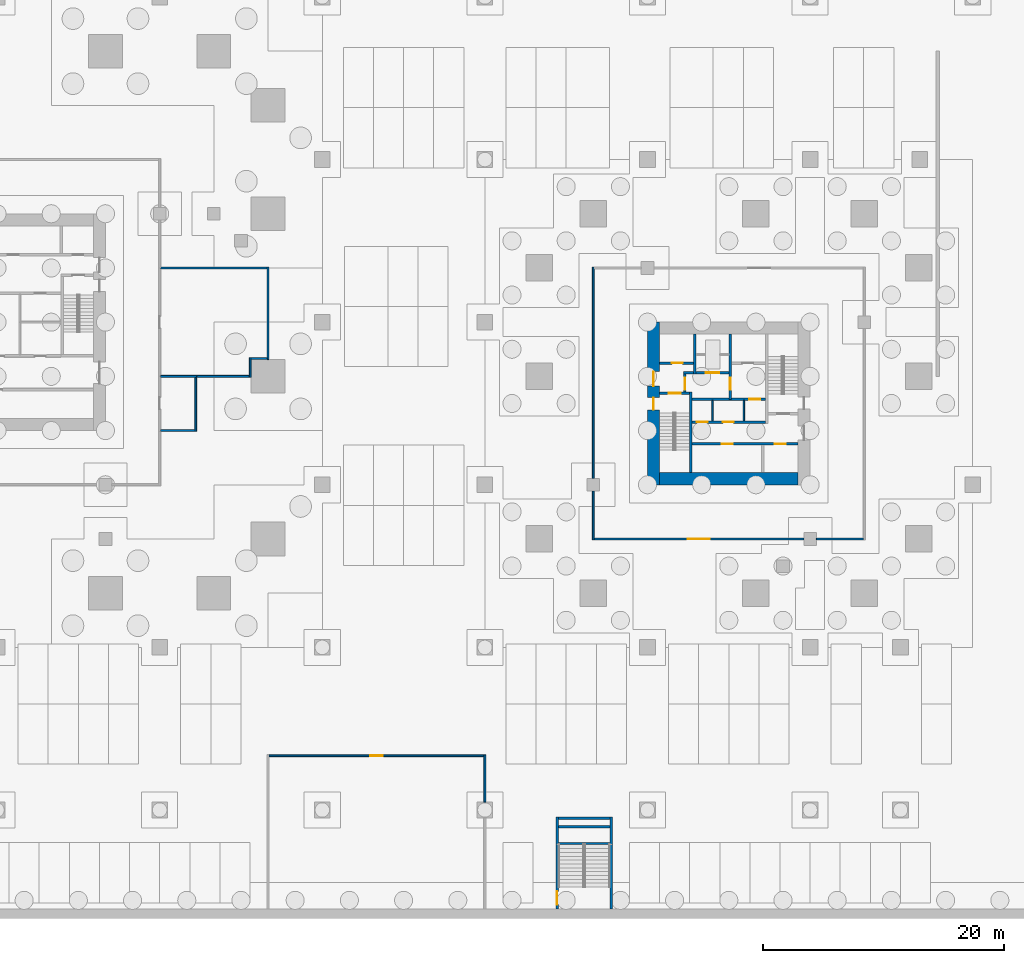
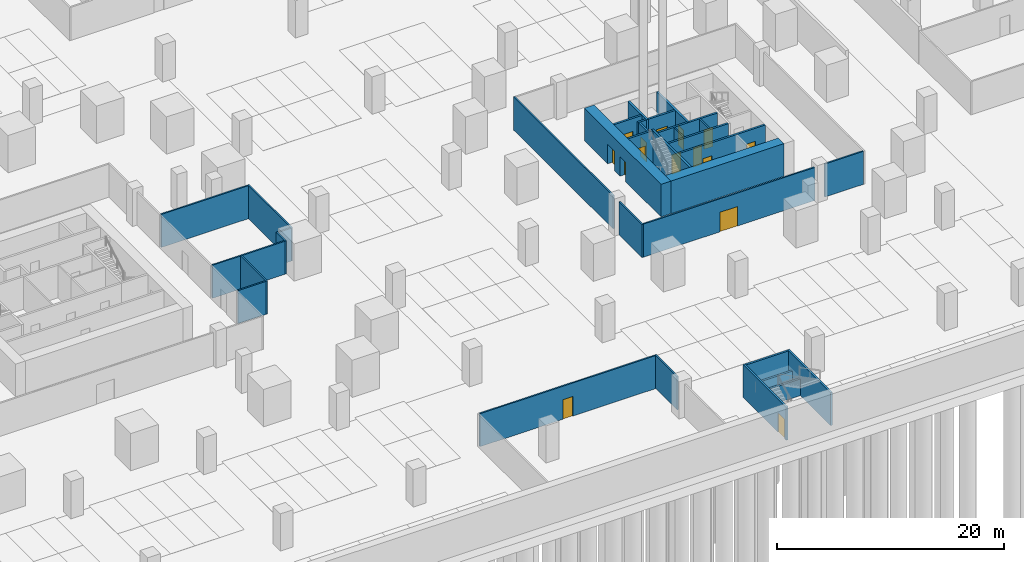
# One storey, part 9 of 40: 34 walls, 15 doors, 15 openings.
"""IFC4 building model written with IfcOpenShell, lengths in metres."""

from ifc_helpers import new_model, si_unit, direction, frame, frame_2d, origin, place, context, subcontext, project, spatial, rectangle, extrude, material, layer, layer_set, type_object, element, fill, save


model = new_model("IFC4")

# Units and contexts
model_context = context("Model", 3, precision=1e-05, world=origin(), true_north=direction((0.0, 1.0)))
body_context = subcontext(model_context, "Body", "Model", "MODEL_VIEW")
ifc_project = project(units=[si_unit("LENGTHUNIT", "METRE"), si_unit("AREAUNIT", "SQUARE_METRE"), si_unit("VOLUMEUNIT", "CUBIC_METRE"), si_unit("PLANEANGLEUNIT", "RADIAN"), si_unit("MASSUNIT", "GRAM", prefix="KILO")], contexts=[model_context])

# Site, building, storey
site_placement = place(None, origin())
site = spatial("IfcSite", under=ifc_project, at=site_placement, CompositionType="ELEMENT")
building_placement = place(site_placement, origin())
building = spatial("IfcBuilding", under=site, at=building_placement, Name="Altepetl Exchange Towers", CompositionType="ELEMENT")
storey_placement = place(building_placement, frame((0.0, 0.0, -8.0)))
storey = spatial("IfcBuildingStorey", under=building, at=storey_placement, Name="B2 Basement parking", CompositionType="ELEMENT", Elevation=-8.0)

# Wall
ifc_material_1 = material(Name="Concrete C70/85", Category="concrete")
ifc_layer_1 = layer(ifc_material_1, 1.0)
ifc_layer_set_1 = layer_set([ifc_layer_1], Name="Concrete C70/85")
wall_type_1 = type_object("IfcWallType", Name="Core wall 1000 reinforced concrete", PredefinedType="SHEAR", material=ifc_layer_set_1)
wall_1_placement = place(storey_placement, frame((104.5, 36.5, 0.0)))
element("IfcWall", 1, at=wall_1_placement, inside=storey, type_object=wall_type_1, Name="wall:B:B2:K-coreS", PredefinedType="SHEAR", context=body_context, shape_type="SweptSolid", body=[
    extrude(rectangle(XDim=11.5, YDim=1.0, at=frame_2d((5.75, 0.0))), origin(), (0.0, 0.0, 1.0), 3.5),
])

# Wall, openings, doors
wall_2_placement = place(storey_placement, frame((104.0, 36.0, 0.0), z_axis=(0.0, 0.0, 1.0), x_axis=(0.0, 1.0, 0.0)))
wall_2 = element("IfcWall", 2, at=wall_2_placement, inside=storey, type_object=wall_type_1, Name="wall:B:B2:K-coreW", PredefinedType="SHEAR", context=body_context, shape_type="SweptSolid", body=[
    extrude(rectangle(XDim=13.5, YDim=1.0, at=frame_2d((6.75, 0.0))), origin(), (0.0, 0.0, 1.0), 3.5),
])
opening_1_placement = place(wall_2_placement, frame((8.199951171875, 0.0, 0.0)))
opening_1 = element("IfcOpeningElement", 3, at=opening_1_placement, cuts=wall_2, Name="Opening B2.B60", PredefinedType="OPENING", context=body_context, shape_type="SweptSolid", body=[
    extrude(rectangle(XDim=1.199951171875, YDim=2.10009765625, at=frame_2d((0.60009765625, 1.050048828125))), frame((0.0, 0.510009765625, 0.0), z_axis=(0.0, -1.0, 0.0), x_axis=(1.0, 0.0, 0.0)), (0.0, 0.0, 1.0), 1.02001953125),
])
opening_2_placement = place(wall_2_placement, frame((6.22509765625, 0.0, 0.0)))
opening_2 = element("IfcOpeningElement", 4, at=opening_2_placement, cuts=wall_2, Name="Opening B2.B63", PredefinedType="OPENING", context=body_context, shape_type="SweptSolid", body=[
    extrude(rectangle(XDim=1.0, YDim=2.10009765625, at=frame_2d((0.5, 1.050048828125))), frame((0.0, 0.510009765625, 0.0), z_axis=(0.0, -1.0, 0.0), x_axis=(1.0, 0.0, 0.0)), (0.0, 0.0, 1.0), 1.02001953125),
])
ifc_material_2 = material(Name="Steel and timber fire door", Category="steel")
door_type_1 = type_object("IfcDoorType", Name="Fire door 1000 x 2100 stair and lobby", OperationType="SINGLE_SWING_LEFT", PredefinedType="DOOR", material=ifc_material_2)
door_1_placement = place(opening_2_placement, frame((1.0, 0.0, 0.0), x_axis=(-1.0, 0.0, 0.0)))
door_1 = element("IfcDoor", 5, at=door_1_placement, inside=storey, type_object=door_type_1, Name="door:B:B2:K-dS1x", OperationType="SINGLE_SWING_RIGHT", OverallHeight=2.10009765625, OverallWidth=1.0, PredefinedType="DOOR", context=body_context, shape_type="SweptSolid", body=[
    extrude(rectangle(XDim=1.0, YDim=2.10009765625, at=frame_2d((0.5, 1.050048828125))), frame((0.0, 0.02490234375, 0.0), z_axis=(0.0, -1.0, 0.0), x_axis=(1.0, 0.0, 0.0)), (0.0, 0.0, 1.0), 0.050048828125),
])
fill(opening_2, door_1)
door_type_2 = type_object("IfcDoorType", Name="Fire door 1200 x 2100 lobby entry", OperationType="SINGLE_SWING_LEFT", PredefinedType="DOOR", material=ifc_material_2)
door_2_placement = place(opening_1_placement, frame((1.199951171875, 0.0, 0.0), x_axis=(-1.0, 0.0, 0.0)))
door_2 = element("IfcDoor", 6, at=door_2_placement, inside=storey, type_object=door_type_2, Name="door:B:B2:K-dLNW", OperationType="SINGLE_SWING_RIGHT", OverallHeight=2.10009765625, OverallWidth=1.199951171875, PredefinedType="DOOR", context=body_context, shape_type="SweptSolid", body=[
    extrude(rectangle(XDim=1.199951171875, YDim=2.10009765625, at=frame_2d((0.60009765625, 1.050048828125))), frame((0.0, 0.02490234375, 0.0), z_axis=(0.0, -1.0, 0.0), x_axis=(1.0, 0.0, 0.0)), (0.0, 0.0, 1.0), 0.050048828125),
])
fill(opening_1, door_2)

# Walls
ifc_material_3 = material(Name="Reinforced concrete C35/45", Category="concrete")
ifc_layer_2 = layer(ifc_material_3, 0.199951171875)
ifc_layer_set_2 = layer_set([ifc_layer_2], Name="Reinforced concrete C35/45")
wall_type_2 = type_object("IfcWallType", Name="Landing support wall 200", PredefinedType="SOLIDWALL", material=ifc_layer_set_2)
for number, where, name in (
    (7, (96.10009765625, 6.219970703125, 0.0), "wall:P:B2:ES2sup0"),
    (8, (96.10009765625, 7.60009765625, 0.0), "wall:P:B2:ES2sup1"),
):
    element("IfcWall", number, at=place(storey_placement, frame(where)), inside=storey, type_object=wall_type_2, Name=name, PredefinedType="SOLIDWALL", context=body_context, shape_type="SweptSolid", body=[
        extrude(rectangle(XDim=4.2998046875, YDim=0.199951171875, at=frame_2d((2.14990234375, 0.0))), origin(), (0.0, 0.0, 1.0), 1.800048828125),
    ])
ifc_material_4 = material(Name="Concrete blockwork", Category="masonry")
ifc_layer_3 = layer(ifc_material_4, 0.199951171875)
ifc_layer_set_3 = layer_set([ifc_layer_3], Name="Concrete blockwork")
wall_type_3 = type_object("IfcWallType", Name="Lobby wall 200 blockwork", PredefinedType="PARTITIONING", material=ifc_layer_set_3)
wall_3_placement = place(storey_placement, frame((106.5, 45.300048828125, 0.0)))
element("IfcWall", 9, at=wall_3_placement, inside=storey, type_object=wall_type_3, Name="wall:B:B2:K-ffNw", PredefinedType="PARTITIONING", context=body_context, shape_type="SweptSolid", body=[
    extrude(rectangle(XDim=0.833251953125, YDim=0.199951171875, at=frame_2d((0.41650390625, 0.0))), origin(), (0.0, 0.0, 1.0), 3.5),
])

# Wall, opening, door
wall_4_placement = place(storey_placement, frame((106.60009765625, 43.699951171875, 0.0), z_axis=(0.0, 0.0, 1.0), x_axis=(0.0, 1.0, 0.0)))
wall_4 = element("IfcWall", 10, at=wall_4_placement, inside=storey, type_object=wall_type_3, Name="wall:B:B2:K-ffW", PredefinedType="PARTITIONING", context=body_context, shape_type="SweptSolid", body=[
    extrude(rectangle(XDim=1.5, YDim=0.199951171875, at=frame_2d((0.75, 0.0))), origin(), (0.0, 0.0, 1.0), 3.5),
])
opening_3_placement = place(wall_4_placement, frame((0.199951171875, 0.0, 0.0)))
opening_3 = element("IfcOpeningElement", 11, at=opening_3_placement, cuts=wall_4, Name="Opening B2.B67", PredefinedType="OPENING", context=body_context, shape_type="SweptSolid", body=[
    extrude(rectangle(XDim=1.0, YDim=2.10009765625, at=frame_2d((0.5, 1.050048828125))), frame((0.0, 0.10986328125, 0.0), z_axis=(0.0, -1.0, 0.0), x_axis=(1.0, 0.0, 0.0)), (0.0, 0.0, 1.0), 0.219970703125),
])
door_3_placement = place(opening_3_placement, frame((1.0, 0.0, 0.0), x_axis=(-1.0, 0.0, 0.0)))
door_3 = element("IfcDoor", 12, at=door_3_placement, inside=storey, type_object=door_type_1, Name="door:B:B2:K-dffW", OperationType="SINGLE_SWING_LEFT", OverallHeight=2.10009765625, OverallWidth=1.0, PredefinedType="DOOR", context=body_context, shape_type="SweptSolid", body=[
    extrude(rectangle(XDim=1.0, YDim=2.10009765625, at=frame_2d((0.5, 1.050048828125))), frame((0.0, 0.02490234375, 0.0), z_axis=(0.0, -1.0, 0.0), x_axis=(1.0, 0.0, 0.0)), (0.0, 0.0, 1.0), 0.050048828125),
])
fill(opening_3, door_3)

wall_5_placement = place(storey_placement, frame((107.199951171875, 43.10009765625, 0.0)))
wall_5 = element("IfcWall", 13, at=wall_5_placement, inside=storey, type_object=wall_type_3, Name="wall:B:B2:K-zoneN", PredefinedType="PARTITIONING", context=body_context, shape_type="SweptSolid", body=[
    extrude(rectangle(XDim=6.10009765625, YDim=0.199951171875, at=frame_2d((3.050048828125, 0.0))), origin(), (0.0, 0.0, 1.0), 3.5),
])
opening_4_placement = place(wall_5_placement, frame((4.75, 0.0, 0.0)))
opening_4 = element("IfcOpeningElement", 14, at=opening_4_placement, cuts=wall_5, Name="Opening B2.B74", PredefinedType="OPENING", context=body_context, shape_type="SweptSolid", body=[
    extrude(rectangle(XDim=0.89990234375, YDim=2.10009765625, at=frame_2d((0.449951171875, 1.050048828125))), frame((0.0, 0.10986328125, 0.0), z_axis=(0.0, -1.0, 0.0), x_axis=(1.0, 0.0, 0.0)), (0.0, 0.0, 1.0), 0.219970703125),
])
door_type_3 = type_object("IfcDoorType", Name="Fire door 900 x 2100 service room", OperationType="SINGLE_SWING_LEFT", PredefinedType="DOOR", material=ifc_material_2)
door_4_placement = place(opening_4_placement, frame((0.89990234375, 0.0, 0.0), x_axis=(-1.0, 0.0, 0.0)))
door_4 = element("IfcDoor", 15, at=door_4_placement, inside=storey, type_object=door_type_3, Name="door:B:B2:K-dz3", OperationType="SINGLE_SWING_RIGHT", OverallHeight=2.10009765625, OverallWidth=0.89990234375, PredefinedType="DOOR", context=body_context, shape_type="SweptSolid", body=[
    extrude(rectangle(XDim=0.89990234375, YDim=2.10009765625, at=frame_2d((0.449951171875, 1.050048828125))), frame((0.0, 0.02490234375, 0.0), z_axis=(0.0, -1.0, 0.0), x_axis=(1.0, 0.0, 0.0)), (0.0, 0.0, 1.0), 0.050048828125),
])
fill(opening_4, door_4)

# Wall, openings, doors
wall_6_placement = place(storey_placement, frame((107.199951171875, 41.199951171875, 0.0)))
wall_6 = element("IfcWall", 16, at=wall_6_placement, inside=storey, type_object=wall_type_3, Name="wall:B:B2:K-zoneS", PredefinedType="PARTITIONING", context=body_context, shape_type="SweptSolid", body=[
    extrude(rectangle(XDim=6.10009765625, YDim=0.199951171875, at=frame_2d((3.050048828125, 0.0))), origin(), (0.0, 0.0, 1.0), 3.5),
])
opening_5_placement = place(wall_6_placement, frame((0.39990234375, 0.0, 0.0)))
opening_5 = element("IfcOpeningElement", 17, at=opening_5_placement, cuts=wall_6, Name="Opening B2.B72", PredefinedType="OPENING", context=body_context, shape_type="SweptSolid", body=[
    extrude(rectangle(XDim=0.89990234375, YDim=2.10009765625, at=frame_2d((0.449951171875, 1.050048828125))), frame((0.0, 0.10986328125, 0.0), z_axis=(0.0, -1.0, 0.0), x_axis=(1.0, 0.0, 0.0)), (0.0, 0.0, 1.0), 0.219970703125),
])
opening_6_placement = place(wall_6_placement, frame((2.550048828125, 0.0, 0.0)))
opening_6 = element("IfcOpeningElement", 18, at=opening_6_placement, cuts=wall_6, Name="Opening B2.B73", PredefinedType="OPENING", context=body_context, shape_type="SweptSolid", body=[
    extrude(rectangle(XDim=0.89990234375, YDim=2.10009765625, at=frame_2d((0.449951171875, 1.050048828125))), frame((0.0, 0.10986328125, 0.0), z_axis=(0.0, -1.0, 0.0), x_axis=(1.0, 0.0, 0.0)), (0.0, 0.0, 1.0), 0.219970703125),
])
door_5_placement = place(opening_5_placement, origin())
door_5 = element("IfcDoor", 19, at=door_5_placement, inside=storey, type_object=door_type_3, Name="door:B:B2:K-dz1", OperationType="SINGLE_SWING_RIGHT", OverallHeight=2.10009765625, OverallWidth=0.89990234375, PredefinedType="DOOR", context=body_context, shape_type="SweptSolid", body=[
    extrude(rectangle(XDim=0.89990234375, YDim=2.10009765625, at=frame_2d((0.449951171875, 1.050048828125))), frame((0.0, 0.02490234375, 0.0), z_axis=(0.0, -1.0, 0.0), x_axis=(1.0, 0.0, 0.0)), (0.0, 0.0, 1.0), 0.050048828125),
])
fill(opening_5, door_5)
door_6_placement = place(opening_6_placement, origin())
door_6 = element("IfcDoor", 20, at=door_6_placement, inside=storey, type_object=door_type_3, Name="door:B:B2:K-dz2", OperationType="SINGLE_SWING_LEFT", OverallHeight=2.10009765625, OverallWidth=0.89990234375, PredefinedType="DOOR", context=body_context, shape_type="SweptSolid", body=[
    extrude(rectangle(XDim=0.89990234375, YDim=2.10009765625, at=frame_2d((0.449951171875, 1.050048828125))), frame((0.0, 0.02490234375, 0.0), z_axis=(0.0, -1.0, 0.0), x_axis=(1.0, 0.0, 0.0)), (0.0, 0.0, 1.0), 0.050048828125),
])
fill(opening_6, door_6)

# Walls
ifc_material_5 = material(Name="Gypsum board on steel studs", Category="steel")
ifc_layer_4 = layer(ifc_material_5, 0.125)
ifc_layer_set_4 = layer_set([ifc_layer_4], Name="Gypsum board on steel studs")
wall_type_4 = type_object("IfcWallType", Name="Partition 125 gypsum board on steel studs", PredefinedType="PARTITIONING", material=ifc_layer_set_4)
for number, where, z_axis, x_axis, name in (
    (21, (108.89990234375, 41.300048828125, 0.0), (0.0, 0.0, 1.0), (0.0, 1.0, 0.0), "wall:B:B2:K-zp1"),
    (22, (111.5, 41.300048828125, 0.0), (0.0, 0.0, 1.0), (0.0, 1.0, 0.0), "wall:B:B2:K-zp2"),
):
    element("IfcWall", number, at=place(storey_placement, frame(where, z_axis=z_axis, x_axis=x_axis)), inside=storey, type_object=wall_type_4, Name=name, PredefinedType="PARTITIONING", context=body_context, shape_type="SweptSolid", body=[
        extrude(rectangle(XDim=1.699951171875, YDim=0.125, at=frame_2d((0.85009765625, 0.0))), origin(), (0.0, 0.0, 1.0), 3.5),
    ])
ifc_layer_5 = layer(ifc_material_5, 0.14990234375)
ifc_layer_set_5 = layer_set([ifc_layer_5], Name="Gypsum board on steel studs")
wall_type_5 = type_object("IfcWallType", Name="Podium partition 150", PredefinedType="PARTITIONING", material=ifc_layer_set_5)
wall_7_placement = place(storey_placement, frame((90.0, 9.64501953125, 0.0), z_axis=(0.0, 0.0, 1.0), x_axis=(0.0, 1.0, 0.0)))
element("IfcWall", 23, at=wall_7_placement, inside=storey, type_object=wall_type_5, Name="wall:P:B2:P013", PredefinedType="PARTITIONING", context=body_context, shape_type="SweptSolid", body=[
    extrude(rectangle(XDim=3.929931640625, YDim=0.14990234375, at=frame_2d((1.96484375, 0.0))), origin(), (0.0, 0.0, 1.0), 3.550048828125),
])

# Wall, opening, door
wall_8_placement = place(storey_placement, frame((72.074951171875, 13.5, 0.0)))
wall_8 = element("IfcWall", 24, at=wall_8_placement, inside=storey, type_object=wall_type_5, Name="wall:P:B2:P014", PredefinedType="PARTITIONING", context=body_context, shape_type="SweptSolid", body=[
    extrude(rectangle(XDim=17.85009765625, YDim=0.14990234375, at=frame_2d((8.925048828125, 0.0))), origin(), (0.0, 0.0, 1.0), 3.550048828125),
])
opening_7_placement = place(wall_8_placement, frame((8.425048828125, 0.0, 0.0)))
opening_7 = element("IfcOpeningElement", 25, at=opening_7_placement, cuts=wall_8, Name="Opening B2.P005", PredefinedType="OPENING", context=body_context, shape_type="SweptSolid", body=[
    extrude(rectangle(XDim=1.0, YDim=2.10009765625, at=frame_2d((0.5, 1.050048828125))), frame((0.0, 0.0849609375, 0.0), z_axis=(0.0, -1.0, 0.0), x_axis=(1.0, 0.0, 0.0)), (0.0, 0.0, 1.0), 0.169921875),
])
door_type_4 = type_object("IfcDoorType", Name="Podium fire door 1000 x 2100 single leaf", OperationType="SINGLE_SWING_LEFT", PredefinedType="DOOR", material=ifc_material_2)
door_7_placement = place(opening_7_placement, frame((1.0, 0.0, 0.0), x_axis=(-1.0, 0.0, 0.0)))
door_7 = element("IfcDoor", 26, at=door_7_placement, inside=storey, type_object=door_type_4, Name="door:P:B2:005", OperationType="SINGLE_SWING_LEFT", OverallHeight=2.10009765625, OverallWidth=1.0, PredefinedType="DOOR", context=body_context, shape_type="SweptSolid", body=[
    extrude(rectangle(XDim=1.0, YDim=2.10009765625, at=frame_2d((0.5, 1.050048828125))), frame((0.0, 0.02490234375, 0.0), z_axis=(0.0, -1.0, 0.0), x_axis=(1.0, 0.0, 0.0)), (0.0, 0.0, 1.0), 0.050048828125),
])
fill(opening_7, door_7)

# Walls
wall_9_placement = place(storey_placement, frame((99.0, 31.425048828125, 0.0), z_axis=(0.0, 0.0, 1.0), x_axis=(0.0, 1.0, 0.0)))
element("IfcWall", 27, at=wall_9_placement, inside=storey, type_object=wall_type_5, Name="wall:P:B2:P040", PredefinedType="PARTITIONING", context=body_context, shape_type="SweptSolid", body=[
    extrude(rectangle(XDim=4.054931640625, YDim=0.14990234375, at=frame_2d((2.02734375, 0.0))), origin(), (0.0, 0.0, 1.0), 3.550048828125),
])
wall_10_placement = place(storey_placement, frame((99.0, 36.52001953125, 0.0), z_axis=(0.0, 0.0, 1.0), x_axis=(0.0, 1.0, 0.0)))
element("IfcWall", 28, at=wall_10_placement, inside=storey, type_object=wall_type_5, Name="wall:P:B2:P041", PredefinedType="PARTITIONING", context=body_context, shape_type="SweptSolid", body=[
    extrude(rectangle(XDim=17.554931640625, YDim=0.14990234375, at=frame_2d((8.77734375, 0.0))), origin(), (0.0, 0.0, 1.0), 3.550048828125),
])

# Wall, opening, door
wall_11_placement = place(storey_placement, frame((99.074951171875, 31.5, 0.0)))
wall_11 = element("IfcWall", 29, at=wall_11_placement, inside=storey, type_object=wall_type_5, Name="wall:P:B2:P044", PredefinedType="PARTITIONING", context=body_context, shape_type="SweptSolid", body=[
    extrude(rectangle(XDim=17.405029296875, YDim=0.14990234375, at=frame_2d((8.70263671875, 0.0))), origin(), (0.0, 0.0, 1.0), 3.550048828125),
])
opening_8_placement = place(wall_11_placement, frame((7.77490234375, 0.0, 0.0)))
opening_8 = element("IfcOpeningElement", 30, at=opening_8_placement, cuts=wall_11, Name="Opening B2.P022", PredefinedType="OPENING", context=body_context, shape_type="SweptSolid", body=[
    extrude(rectangle(XDim=1.800048828125, YDim=2.10009765625, at=frame_2d((0.89990234375, 1.050048828125))), frame((0.0, 0.0849609375, 0.0), z_axis=(0.0, -1.0, 0.0), x_axis=(1.0, 0.0, 0.0)), (0.0, 0.0, 1.0), 0.169921875),
])
ifc_material_6 = material(Name="Glazed aluminium and steel", Category="steel")
door_type_5 = type_object("IfcDoorType", Name="Podium fire door 1800 x 2100 double leaf", OperationType="DOUBLE_DOOR_SINGLE_SWING", PredefinedType="DOOR", material=ifc_material_6)
door_8_placement = place(opening_8_placement, origin())
door_8 = element("IfcDoor", 31, at=door_8_placement, inside=storey, type_object=door_type_5, Name="door:P:B2:022", OperationType="DOUBLE_DOOR_SINGLE_SWING", OverallHeight=2.10009765625, OverallWidth=1.800048828125, PredefinedType="DOOR", context=body_context, shape_type="SweptSolid", body=[
    extrude(rectangle(XDim=1.800048828125, YDim=2.10009765625, at=frame_2d((0.89990234375, 1.050048828125))), frame((0.0, 0.02490234375, 0.0), z_axis=(0.0, -1.0, 0.0), x_axis=(1.0, 0.0, 0.0)), (0.0, 0.0, 1.0), 0.050048828125),
])
fill(opening_8, door_8)

# Walls
wall_12_placement = place(storey_placement, frame((117.52001953125, 31.5, 0.0)))
element("IfcWall", 32, at=wall_12_placement, inside=storey, type_object=wall_type_5, Name="wall:P:B2:P045", PredefinedType="PARTITIONING", context=body_context, shape_type="SweptSolid", body=[
    extrude(rectangle(XDim=3.905029296875, YDim=0.14990234375, at=frame_2d((1.95263671875, 0.0))), origin(), (0.0, 0.0, 1.0), 3.550048828125),
])
wall_13_placement = place(storey_placement, frame((63.074951171875, 45.0, 0.0)))
element("IfcWall", 33, at=wall_13_placement, inside=storey, type_object=wall_type_5, Name="wall:P:B2:P048", PredefinedType="PARTITIONING", context=body_context, shape_type="SweptSolid", body=[
    extrude(rectangle(XDim=3.0, YDim=0.14990234375, at=frame_2d((1.5, 0.0))), origin(), (0.0, 0.0, 1.0), 3.550048828125),
])
wall_14_placement = place(storey_placement, frame((70.52490234375, 44.925048828125, 0.0), z_axis=(0.0, 0.0, 1.0), x_axis=(0.0, 1.0, 0.0)))
element("IfcWall", 34, at=wall_14_placement, inside=storey, type_object=wall_type_5, Name="wall:P:B2:P049", PredefinedType="PARTITIONING", context=body_context, shape_type="SweptSolid", body=[
    extrude(rectangle(XDim=1.625, YDim=0.14990234375, at=frame_2d((0.8125, 0.0))), origin(), (0.0, 0.0, 1.0), 3.550048828125),
])
wall_15_placement = place(storey_placement, frame((72.0, 46.39990234375, 0.0), z_axis=(0.0, 0.0, 1.0), x_axis=(0.0, 1.0, 0.0)))
element("IfcWall", 35, at=wall_15_placement, inside=storey, type_object=wall_type_5, Name="wall:P:B2:P050", PredefinedType="PARTITIONING", context=body_context, shape_type="SweptSolid", body=[
    extrude(rectangle(XDim=7.675048828125, YDim=0.14990234375, at=frame_2d((3.83740234375, 0.0))), origin(), (0.0, 0.0, 1.0), 3.550048828125),
])
wall_16_placement = place(storey_placement, frame((66.0, 45.0, 0.0)))
element("IfcWall", 36, at=wall_16_placement, inside=storey, type_object=wall_type_5, Name="wall:P:B2:P051", PredefinedType="PARTITIONING", context=body_context, shape_type="SweptSolid", body=[
    extrude(rectangle(XDim=4.449951171875, YDim=0.14990234375, at=frame_2d((2.22509765625, 0.0))), origin(), (0.0, 0.0, 1.0), 3.550048828125),
])
wall_17_placement = place(storey_placement, frame((70.60009765625, 46.47509765625, 0.0)))
element("IfcWall", 37, at=wall_17_placement, inside=storey, type_object=wall_type_5, Name="wall:P:B2:P052", PredefinedType="PARTITIONING", context=body_context, shape_type="SweptSolid", body=[
    extrude(rectangle(XDim=1.324951171875, YDim=0.14990234375, at=frame_2d((0.66259765625, 0.0))), origin(), (0.0, 0.0, 1.0), 3.550048828125),
])
wall_18_placement = place(storey_placement, frame((63.074951171875, 54.0, 0.0)))
element("IfcWall", 38, at=wall_18_placement, inside=storey, type_object=wall_type_5, Name="wall:P:B2:P053", PredefinedType="PARTITIONING", context=body_context, shape_type="SweptSolid", body=[
    extrude(rectangle(XDim=8.85009765625, YDim=0.14990234375, at=frame_2d((4.425048828125, 0.0))), origin(), (0.0, 0.0, 1.0), 3.550048828125),
])
wall_19_placement = place(storey_placement, frame((66.0, 40.425048828125, 0.0), z_axis=(0.0, 0.0, 1.0), x_axis=(0.0, 1.0, 0.0)))
element("IfcWall", 39, at=wall_19_placement, inside=storey, type_object=wall_type_5, Name="wall:P:B2:P054", PredefinedType="PARTITIONING", context=body_context, shape_type="SweptSolid", body=[
    extrude(rectangle(XDim=4.5, YDim=0.14990234375, at=frame_2d((2.25, 0.0))), origin(), (0.0, 0.0, 1.0), 3.550048828125),
])
wall_20_placement = place(storey_placement, frame((63.074951171875, 40.5, 0.0)))
element("IfcWall", 40, at=wall_20_placement, inside=storey, type_object=wall_type_5, Name="wall:P:B2:P055", PredefinedType="PARTITIONING", context=body_context, shape_type="SweptSolid", body=[
    extrude(rectangle(XDim=2.85009765625, YDim=0.14990234375, at=frame_2d((1.425048828125, 0.0))), origin(), (0.0, 0.0, 1.0), 3.550048828125),
])
ifc_material_7 = material(Name="Concrete C40/50", Category="concrete")
ifc_layer_6 = layer(ifc_material_7, 0.199951171875)
ifc_layer_set_6 = layer_set([ifc_layer_6], Name="Concrete C40/50")
wall_type_6 = type_object("IfcWallType", Name="Shaft wall 200 reinforced concrete", PredefinedType="SHEAR", material=ifc_layer_set_6)
wall_21_placement = place(storey_placement, frame((107.433349609375, 48.5, 0.0), z_axis=(0.0, 0.0, 1.0), x_axis=(0.0, -1.0, 0.0)))
element("IfcWall", 41, at=wall_21_placement, inside=storey, type_object=wall_type_6, Name="wall:B:B2:K-divN1", PredefinedType="SHEAR", context=body_context, shape_type="SweptSolid", body=[
    extrude(rectangle(XDim=3.300048828125, YDim=0.199951171875, at=frame_2d((1.64990234375, 0.0))), origin(), (0.0, 0.0, 1.0), 3.5),
])

# Wall, opening, door
wall_22_placement = place(storey_placement, frame((110.36669921875, 48.5, 0.0), z_axis=(0.0, 0.0, 1.0), x_axis=(0.0, -1.0, 0.0)))
wall_22 = element("IfcWall", 42, at=wall_22_placement, inside=storey, type_object=wall_type_6, Name="wall:B:B2:K-divN2", PredefinedType="SHEAR", context=body_context, shape_type="SweptSolid", body=[
    extrude(rectangle(XDim=5.39990234375, YDim=0.199951171875, at=frame_2d((2.699951171875, 0.0))), origin(), (0.0, 0.0, 1.0), 3.5),
])
opening_9_placement = place(wall_22_placement, frame((3.60009765625, 0.0, 0.0)))
opening_9 = element("IfcOpeningElement", 43, at=opening_9_placement, cuts=wall_22, Name="Opening B2.B66", PredefinedType="OPENING", context=body_context, shape_type="SweptSolid", body=[
    extrude(rectangle(XDim=1.0, YDim=2.10009765625, at=frame_2d((0.5, 1.050048828125))), frame((0.0, 0.10986328125, 0.0), z_axis=(0.0, -1.0, 0.0), x_axis=(1.0, 0.0, 0.0)), (0.0, 0.0, 1.0), 0.219970703125),
])
door_9_placement = place(opening_9_placement, frame((1.0, 0.0, 0.0), x_axis=(-1.0, 0.0, 0.0)))
door_9 = element("IfcDoor", 44, at=door_9_placement, inside=storey, type_object=door_type_1, Name="door:B:B2:K-dffE", OperationType="SINGLE_SWING_RIGHT", OverallHeight=2.10009765625, OverallWidth=1.0, PredefinedType="DOOR", context=body_context, shape_type="SweptSolid", body=[
    extrude(rectangle(XDim=1.0, YDim=2.10009765625, at=frame_2d((0.5, 1.050048828125))), frame((0.0, 0.02490234375, 0.0), z_axis=(0.0, -1.0, 0.0), x_axis=(1.0, 0.0, 0.0)), (0.0, 0.0, 1.0), 0.050048828125),
])
fill(opening_9, door_9)

wall_23_placement = place(storey_placement, frame((104.5, 46.10009765625, 0.0)))
wall_23 = element("IfcWall", 45, at=wall_23_placement, inside=storey, type_object=wall_type_6, Name="wall:B:B2:K-frontNa", PredefinedType="SHEAR", context=body_context, shape_type="SweptSolid", body=[
    extrude(rectangle(XDim=2.833251953125, YDim=0.199951171875, at=frame_2d((1.41650390625, 0.0))), origin(), (0.0, 0.0, 1.0), 3.5),
])
opening_10_placement = place(wall_23_placement, frame((1.0166015625, 0.0, 0.0)))
opening_10 = element("IfcOpeningElement", 46, at=opening_10_placement, cuts=wall_23, Name="Opening B2.B68", PredefinedType="OPENING", context=body_context, shape_type="SweptSolid", body=[
    extrude(rectangle(XDim=0.89990234375, YDim=2.10009765625, at=frame_2d((0.449951171875, 1.050048828125))), frame((0.0, 0.10986328125, 0.0), z_axis=(0.0, -1.0, 0.0), x_axis=(1.0, 0.0, 0.0)), (0.0, 0.0, 1.0), 0.219970703125),
])
door_10_placement = place(opening_10_placement, origin())
door_10 = element("IfcDoor", 47, at=door_10_placement, inside=storey, type_object=door_type_3, Name="door:B:B2:K-dslotN0", OperationType="SINGLE_SWING_RIGHT", OverallHeight=2.10009765625, OverallWidth=0.89990234375, PredefinedType="DOOR", context=body_context, shape_type="SweptSolid", body=[
    extrude(rectangle(XDim=0.89990234375, YDim=2.10009765625, at=frame_2d((0.449951171875, 1.050048828125))), frame((0.0, 0.02490234375, 0.0), z_axis=(0.0, -1.0, 0.0), x_axis=(1.0, 0.0, 0.0)), (0.0, 0.0, 1.0), 0.050048828125),
])
fill(opening_10, door_10)

wall_24_placement = place(storey_placement, frame((107.533203125, 45.300048828125, 0.0)))
wall_24 = element("IfcWall", 48, at=wall_24_placement, inside=storey, type_object=wall_type_6, Name="wall:B:B2:K-frontNd", PredefinedType="SHEAR", context=body_context, shape_type="SweptSolid", body=[
    extrude(rectangle(XDim=2.7333984375, YDim=0.199951171875, at=frame_2d((1.36669921875, 0.0))), origin(), (0.0, 0.0, 1.0), 3.5),
])
opening_11_placement = place(wall_24_placement, frame((0.816650390625, 0.0, 0.0)))
opening_11 = element("IfcOpeningElement", 49, at=opening_11_placement, cuts=wall_24, Name="Opening B2.B75", PredefinedType="OPENING", context=body_context, shape_type="SweptSolid", body=[
    extrude(rectangle(XDim=1.10009765625, YDim=2.10009765625, at=frame_2d((0.550048828125, 1.050048828125))), frame((0.0, 0.10986328125, 0.0), z_axis=(0.0, -1.0, 0.0), x_axis=(1.0, 0.0, 0.0)), (0.0, 0.0, 1.0), 0.219970703125),
])
ifc_material_8 = material(Name="Stainless steel", Category="steel")
door_type_6 = type_object("IfcDoorType", Name="Lift landing door 1100 x 2100", OperationType="SLIDING_TO_LEFT", PredefinedType="DOOR", material=ifc_material_8)
door_11_placement = place(opening_11_placement, origin())
door_11 = element("IfcDoor", 50, at=door_11_placement, inside=storey, type_object=door_type_6, Name="Landing door FFL1", OperationType="SLIDING_TO_LEFT", OverallHeight=2.10009765625, OverallWidth=1.10009765625, PredefinedType="DOOR", context=body_context, shape_type="SweptSolid", body=[
    extrude(rectangle(XDim=1.10009765625, YDim=2.10009765625, at=frame_2d((0.550048828125, 1.050048828125))), frame((0.0, 0.02490234375, 0.0), z_axis=(0.0, -1.0, 0.0), x_axis=(1.0, 0.0, 0.0)), (0.0, 0.0, 1.0), 0.050048828125),
])
fill(opening_11, door_11)

# Wall, openings, doors
wall_25_placement = place(storey_placement, frame((107.199951171875, 39.39990234375, 0.0)))
wall_25 = element("IfcWall", 51, at=wall_25_placement, inside=storey, type_object=wall_type_6, Name="wall:B:B2:K-frontS", PredefinedType="SHEAR", context=body_context, shape_type="SweptSolid", body=[
    extrude(rectangle(XDim=8.800048828125, YDim=0.199951171875, at=frame_2d((4.39990234375, 0.0))), origin(), (0.0, 0.0, 1.0), 3.5),
])
opening_12_placement = place(wall_25_placement, frame((2.4833984375, 0.0, 0.0)))
opening_12 = element("IfcOpeningElement", 52, at=opening_12_placement, cuts=wall_25, Name="Opening B2.B70", PredefinedType="OPENING", context=body_context, shape_type="SweptSolid", body=[
    extrude(rectangle(XDim=0.89990234375, YDim=2.10009765625, at=frame_2d((0.449951171875, 1.050048828125))), frame((0.0, 0.10986328125, 0.0), z_axis=(0.0, -1.0, 0.0), x_axis=(1.0, 0.0, 0.0)), (0.0, 0.0, 1.0), 0.219970703125),
])
opening_13_placement = place(wall_25_placement, frame((6.88330078125, 0.0, 0.0)))
opening_13 = element("IfcOpeningElement", 53, at=opening_13_placement, cuts=wall_25, Name="Opening B2.B71", PredefinedType="OPENING", context=body_context, shape_type="SweptSolid", body=[
    extrude(rectangle(XDim=0.89990234375, YDim=2.10009765625, at=frame_2d((0.449951171875, 1.050048828125))), frame((0.0, 0.10986328125, 0.0), z_axis=(0.0, -1.0, 0.0), x_axis=(1.0, 0.0, 0.0)), (0.0, 0.0, 1.0), 0.219970703125),
])
door_12_placement = place(opening_12_placement, frame((0.89990234375, 0.0, 0.0), x_axis=(-1.0, 0.0, 0.0)))
door_12 = element("IfcDoor", 54, at=door_12_placement, inside=storey, type_object=door_type_3, Name="door:B:B2:K-dslotS0", OperationType="SINGLE_SWING_LEFT", OverallHeight=2.10009765625, OverallWidth=0.89990234375, PredefinedType="DOOR", context=body_context, shape_type="SweptSolid", body=[
    extrude(rectangle(XDim=0.89990234375, YDim=2.10009765625, at=frame_2d((0.449951171875, 1.050048828125))), frame((0.0, 0.02490234375, 0.0), z_axis=(0.0, -1.0, 0.0), x_axis=(1.0, 0.0, 0.0)), (0.0, 0.0, 1.0), 0.050048828125),
])
fill(opening_12, door_12)
door_13_placement = place(opening_13_placement, frame((0.89990234375, 0.0, 0.0), x_axis=(-1.0, 0.0, 0.0)))
door_13 = element("IfcDoor", 55, at=door_13_placement, inside=storey, type_object=door_type_3, Name="door:B:B2:K-dslotS2", OperationType="SINGLE_SWING_LEFT", OverallHeight=2.10009765625, OverallWidth=0.89990234375, PredefinedType="DOOR", context=body_context, shape_type="SweptSolid", body=[
    extrude(rectangle(XDim=0.89990234375, YDim=2.10009765625, at=frame_2d((0.449951171875, 1.050048828125))), frame((0.0, 0.02490234375, 0.0), z_axis=(0.0, -1.0, 0.0), x_axis=(1.0, 0.0, 0.0)), (0.0, 0.0, 1.0), 0.050048828125),
])
fill(opening_13, door_13)

# Wall, opening, door
ifc_layer_7 = layer(ifc_material_3, 0.199951171875)
ifc_layer_set_7 = layer_set([ifc_layer_7], Name="Reinforced concrete C35/45")
wall_type_7 = type_object("IfcWallType", Name="Stair enclosure wall 200", PredefinedType="SOLIDWALL", material=ifc_layer_set_7)
wall_26_placement = place(storey_placement, frame((96.0, 0.800048828125, 0.0), z_axis=(0.0, 0.0, 1.0), x_axis=(0.0, 1.0, 0.0)))
wall_26 = element("IfcWall", 56, at=wall_26_placement, inside=storey, type_object=wall_type_7, Name="wall:P:B2:P059", PredefinedType="SOLIDWALL", context=body_context, shape_type="SweptSolid", body=[
    extrude(rectangle(XDim=7.599853515625, YDim=0.199951171875, at=frame_2d((3.7998046875, 0.0))), origin(), (0.0, 0.0, 1.0), 3.550048828125),
])
opening_14_placement = place(wall_26_placement, frame((0.35009765625, 0.0, 0.0)))
opening_14 = element("IfcOpeningElement", 57, at=opening_14_placement, cuts=wall_26, Name="Opening B2.P013", PredefinedType="OPENING", context=body_context, shape_type="SweptSolid", body=[
    extrude(rectangle(XDim=1.10009765625, YDim=2.10009765625, at=frame_2d((0.550048828125, 1.050048828125))), frame((0.0, 0.10986328125, 0.0), z_axis=(0.0, -1.0, 0.0), x_axis=(1.0, 0.0, 0.0)), (0.0, 0.0, 1.0), 0.219970703125),
])
ifc_material_9 = material(Name="Steel fire door", Category="steel")
door_type_7 = type_object("IfcDoorType", Name="Podium fire door 1100 x 2100 single leaf", OperationType="SINGLE_SWING_LEFT", PredefinedType="DOOR", material=ifc_material_9)
door_14_placement = place(opening_14_placement, frame((1.10009765625, 0.0, 0.0), x_axis=(-1.0, 0.0, 0.0)))
door_14 = element("IfcDoor", 58, at=door_14_placement, inside=storey, type_object=door_type_7, Name="door:P:B2:013", OperationType="SINGLE_SWING_LEFT", OverallHeight=2.10009765625, OverallWidth=1.10009765625, PredefinedType="DOOR", context=body_context, shape_type="SweptSolid", body=[
    extrude(rectangle(XDim=1.10009765625, YDim=2.10009765625, at=frame_2d((0.550048828125, 1.050048828125))), frame((0.0, 0.02490234375, 0.0), z_axis=(0.0, -1.0, 0.0), x_axis=(1.0, 0.0, 0.0)), (0.0, 0.0, 1.0), 0.050048828125),
])
fill(opening_14, door_14)

# Walls
wall_27_placement = place(storey_placement, frame((100.5, 0.800048828125, 0.0), z_axis=(0.0, 0.0, 1.0), x_axis=(0.0, 1.0, 0.0)))
element("IfcWall", 59, at=wall_27_placement, inside=storey, type_object=wall_type_7, Name="wall:P:B2:P060", PredefinedType="SOLIDWALL", context=body_context, shape_type="SweptSolid", body=[
    extrude(rectangle(XDim=7.599853515625, YDim=0.199951171875, at=frame_2d((3.7998046875, 0.0))), origin(), (0.0, 0.0, 1.0), 3.550048828125),
])
wall_28_placement = place(storey_placement, frame((96.10009765625, 8.300048828125, 0.0)))
element("IfcWall", 60, at=wall_28_placement, inside=storey, type_object=wall_type_7, Name="wall:P:B2:P061", PredefinedType="SOLIDWALL", context=body_context, shape_type="SweptSolid", body=[
    extrude(rectangle(XDim=4.2998046875, YDim=0.199951171875, at=frame_2d((2.14990234375, 0.0))), origin(), (0.0, 0.0, 1.0), 3.550048828125),
])
ifc_layer_8 = layer(ifc_material_7, 0.199951171875)
ifc_layer_set_8 = layer_set([ifc_layer_8], Name="Concrete C40/50")
wall_type_8 = type_object("IfcWallType", Name="Stair wall 200 reinforced concrete", PredefinedType="SHEAR", material=ifc_layer_set_8)
wall_29_placement = place(storey_placement, frame((107.10009765625, 37.0, 0.0), z_axis=(0.0, 0.0, 1.0), x_axis=(0.0, 1.0, 0.0)))
element("IfcWall", 61, at=wall_29_placement, inside=storey, type_object=wall_type_8, Name="wall:B:B2:K-stS1E", PredefinedType="SHEAR", context=body_context, shape_type="SweptSolid", body=[
    extrude(rectangle(XDim=6.699951171875, YDim=0.199951171875, at=frame_2d((3.35009765625, 0.0))), origin(), (0.0, 0.0, 1.0), 3.5),
])

# Wall, opening, door
wall_30_placement = place(storey_placement, frame((104.5, 43.60009765625, 0.0)))
wall_30 = element("IfcWall", 62, at=wall_30_placement, inside=storey, type_object=wall_type_8, Name="wall:B:B2:K-stS1N", PredefinedType="SHEAR", context=body_context, shape_type="SweptSolid", body=[
    extrude(rectangle(XDim=2.5, YDim=0.199951171875, at=frame_2d((1.25, 0.0))), origin(), (0.0, 0.0, 1.0), 3.5),
])
opening_15_placement = place(wall_30_placement, frame((0.75, 0.0, 0.0)))
opening_15 = element("IfcOpeningElement", 63, at=opening_15_placement, cuts=wall_30, Name="Opening B2.B62", PredefinedType="OPENING", context=body_context, shape_type="SweptSolid", body=[
    extrude(rectangle(XDim=1.0, YDim=2.10009765625, at=frame_2d((0.5, 1.050048828125))), frame((0.0, 0.10986328125, 0.0), z_axis=(0.0, -1.0, 0.0), x_axis=(1.0, 0.0, 0.0)), (0.0, 0.0, 1.0), 0.219970703125),
])
door_15_placement = place(opening_15_placement, frame((1.0, 0.0, 0.0), x_axis=(-1.0, 0.0, 0.0)))
door_15 = element("IfcDoor", 64, at=door_15_placement, inside=storey, type_object=door_type_1, Name="door:B:B2:K-dS1in", OperationType="SINGLE_SWING_LEFT", OverallHeight=2.10009765625, OverallWidth=1.0, PredefinedType="DOOR", context=body_context, shape_type="SweptSolid", body=[
    extrude(rectangle(XDim=1.0, YDim=2.10009765625, at=frame_2d((0.5, 1.050048828125))), frame((0.0, 0.02490234375, 0.0), z_axis=(0.0, -1.0, 0.0), x_axis=(1.0, 0.0, 0.0)), (0.0, 0.0, 1.0), 0.050048828125),
])
fill(opening_15, door_15)

save(model, "model.ifc")
